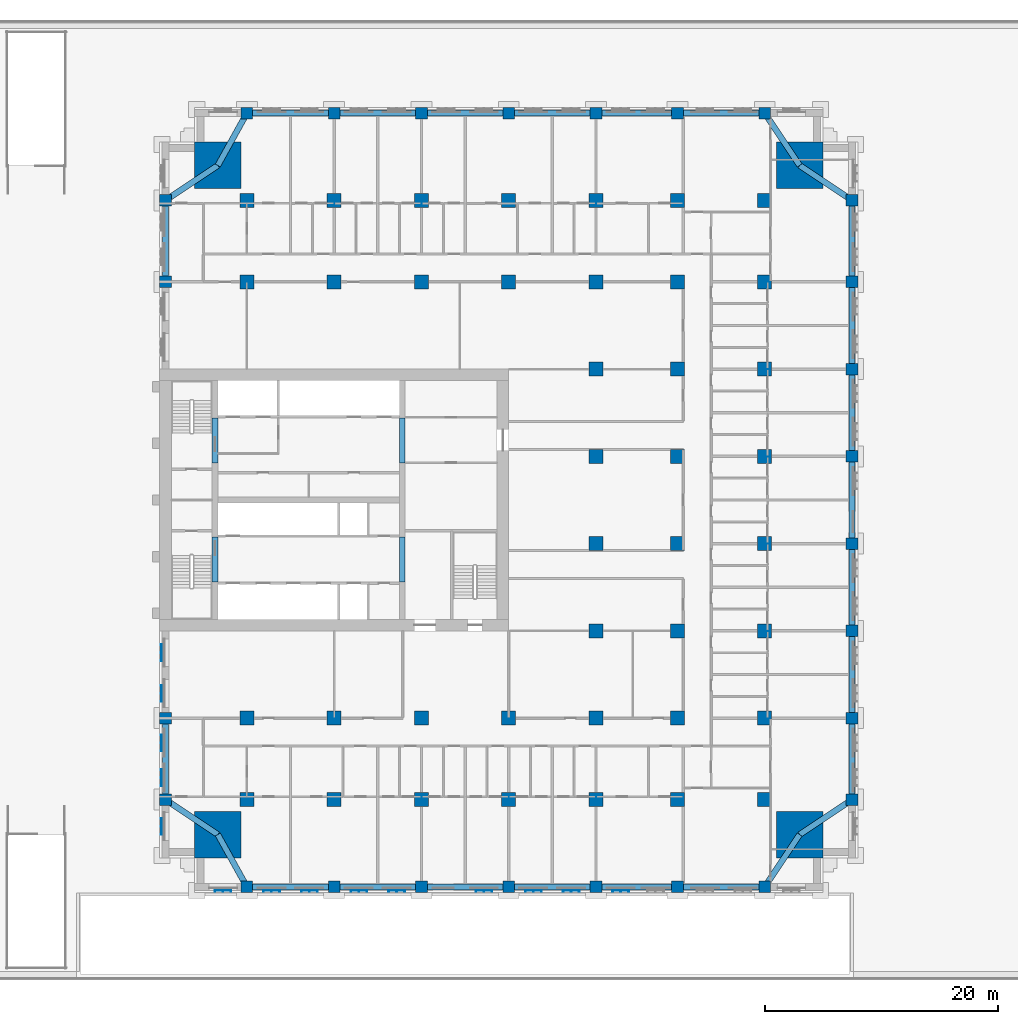
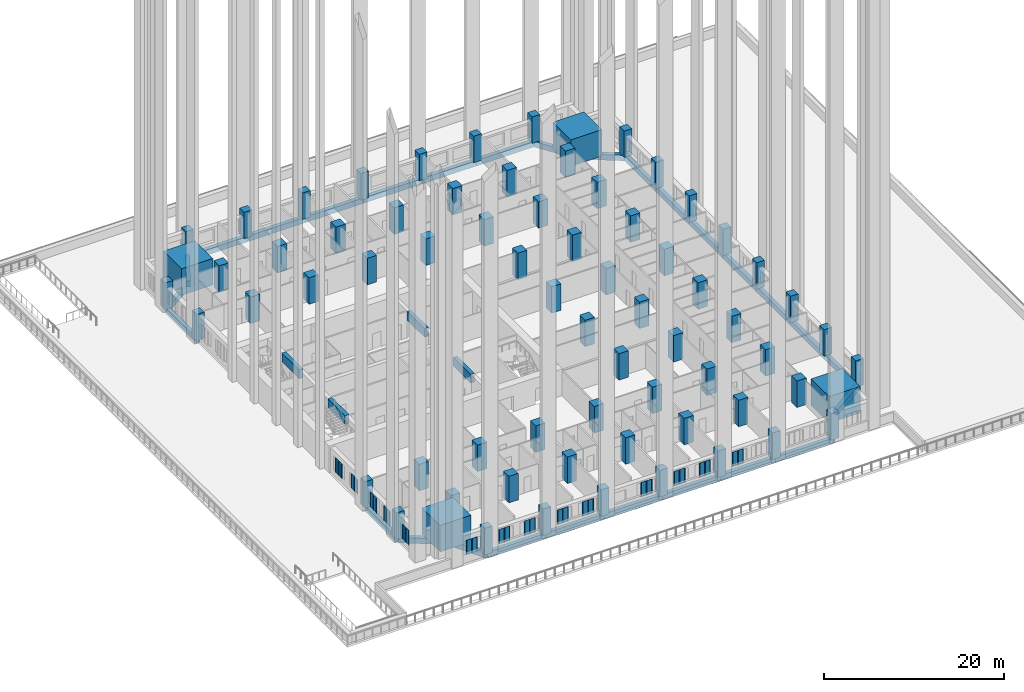
# One storey, part 1 of 27: 70 columns, 33 beams, 14 plates.
"""IFC4 building model written with IfcOpenShell, lengths in metres."""

from ifc_helpers import new_model, si_unit, direction, frame, origin, origin_2d, place, context, subcontext, project, spatial, polyline, rectangle, outline, extrude, material, layer, layer_set, material_profile, profile_set, type_object, element, save


model = new_model("IFC4")

# Units and contexts
model_context = context("Model", 3, precision=1e-05, world=origin(), true_north=direction((0.0, 1.0)))
body_context = subcontext(model_context, "Body", "Model", "MODEL_VIEW")
ifc_project = project(units=[si_unit("LENGTHUNIT", "METRE"), si_unit("AREAUNIT", "SQUARE_METRE"), si_unit("VOLUMEUNIT", "CUBIC_METRE"), si_unit("PLANEANGLEUNIT", "RADIAN"), si_unit("MASSUNIT", "GRAM", prefix="KILO")], contexts=[model_context])

# Site, building, storey
site_placement = place(None, origin())
site = spatial("IfcSite", under=ifc_project, at=site_placement, CompositionType="ELEMENT")
building_placement = place(site_placement, origin())
building = spatial("IfcBuilding", under=site, at=building_placement, Name="Tamorin Gate", CompositionType="ELEMENT")
storey_placement = place(building_placement, frame((0.0, 0.0, 34.0)))
storey = spatial("IfcBuildingStorey", under=building, at=storey_placement, Name="L06", CompositionType="ELEMENT", Elevation=34.0)

# Columns
ifc_material_1 = material(Name="Concrete C80/95", Category="concrete")
ifc_material_profile_1 = material_profile(ifc_material_1, rectangle(XDim=1.0, YDim=1.0, at=origin_2d()), Name="RC 1000x1000")
ifc_profile_set_1 = profile_set([ifc_material_profile_1], Name="Concrete C80/95")
column_type_1 = type_object("IfcColumnType", Name="RC column 1000x1000 C80/95", PredefinedType="COLUMN", material=ifc_profile_set_1)
for number, where, z_axis, x_axis, name in (
    (1, (30.5, 45.5, 0.0), (0.0, 0.0, 1.0), (1.0, 0.0, 0.0), "Ring column L06"),
    (2, (30.5, 52.5, 0.0), (0.0, 0.0, 1.0), (1.0, 0.0, 0.0), "Ring column L06"),
    (3, (30.5, 90.0, 0.0), (0.0, 0.0, 1.0), (1.0, 0.0, 0.0), "Ring column L06"),
    (4, (30.5, 97.0, 0.0), (0.0, 0.0, 1.0), (1.0, 0.0, 0.0), "Ring column L06"),
    (5, (37.5, 38.0, 0.0), (0.0, 0.0, 1.0), (1.0, 0.0, 0.0), "Ring column L06"),
    (6, (37.5, 104.5, 0.0), (0.0, 0.0, 1.0), (1.0, 0.0, 0.0), "Ring column L06"),
    (7, (45.0, 38.0, 0.0), (0.0, 0.0, 1.0), (1.0, 0.0, 0.0), "Ring column L06"),
    (8, (45.0, 104.5, 0.0), (0.0, 0.0, 1.0), (1.0, 0.0, 0.0), "Ring column L06"),
    (9, (52.5, 38.0, 0.0), (0.0, 0.0, 1.0), (1.0, 0.0, 0.0), "Ring column L06"),
    (10, (52.5, 104.5, 0.0), (0.0, 0.0, 1.0), (1.0, 0.0, 0.0), "Ring column L06"),
    (11, (60.0, 38.0, 0.0), (0.0, 0.0, 1.0), (1.0, 0.0, 0.0), "Ring column L06"),
    (12, (60.0, 104.5, 0.0), (0.0, 0.0, 1.0), (1.0, 0.0, 0.0), "Ring column L06"),
    (13, (67.5, 38.0, 0.0), (0.0, 0.0, 1.0), (1.0, 0.0, 0.0), "Ring column L06"),
    (14, (67.5, 104.5, 0.0), (0.0, 0.0, 1.0), (1.0, 0.0, 0.0), "Ring column L06"),
    (15, (74.5, 38.0, 0.0), (0.0, 0.0, 1.0), (1.0, 0.0, 0.0), "Ring column L06"),
    (16, (74.5, 104.5, 0.0), (0.0, 0.0, 1.0), (1.0, 0.0, 0.0), "Ring column L06"),
    (17, (82.0, 38.0, 0.0), (0.0, 0.0, 1.0), (1.0, 0.0, 0.0), "Ring column L06"),
    (18, (82.0, 104.5, 0.0), (0.0, 0.0, 1.0), (1.0, 0.0, 0.0), "Ring column L06"),
    (19, (89.5, 45.5, 0.0), (0.0, 0.0, 1.0), (1.0, 0.0, 0.0), "Ring column L06"),
    (20, (89.5, 52.5, 0.0), (0.0, 0.0, 1.0), (1.0, 0.0, 0.0), "Ring column L06"),
    (21, (89.5, 60.0, 0.0), (0.0, 0.0, 1.0), (1.0, 0.0, 0.0), "Ring column L06"),
    (22, (89.5, 67.5, 0.0), (0.0, 0.0, 1.0), (1.0, 0.0, 0.0), "Ring column L06"),
    (23, (89.5, 75.0, 0.0), (0.0, 0.0, 1.0), (1.0, 0.0, 0.0), "Ring column L06"),
    (24, (89.5, 82.5, 0.0), (0.0, 0.0, 1.0), (1.0, 0.0, 0.0), "Ring column L06"),
    (25, (89.5, 90.0, 0.0), (0.0, 0.0, 1.0), (1.0, 0.0, 0.0), "Ring column L06"),
    (26, (89.5, 97.0, 0.0), (0.0, 0.0, 1.0), (1.0, 0.0, 0.0), "Ring column L06"),
):
    element("IfcColumn", number, at=place(storey_placement, frame(where, z_axis=z_axis, x_axis=x_axis)), inside=storey, type_object=column_type_1, Name=name, PredefinedType="COLUMN", context=body_context, shape_type="SweptSolid", body=[
        extrude(rectangle(XDim=1.0, YDim=1.0, at=origin_2d()), origin(), (0.0, 0.0, 1.0), 3.60009765625),
    ])
ifc_material_profile_2 = material_profile(ifc_material_1, rectangle(XDim=1.199951171875, YDim=1.199951171875, at=origin_2d()), Name="RC 1200x1200")
ifc_profile_set_2 = profile_set([ifc_material_profile_2], Name="Concrete C80/95")
column_type_2 = type_object("IfcColumnType", Name="RC column 1200x1200 C80/95", PredefinedType="COLUMN", material=ifc_profile_set_2)
for number, where, z_axis, x_axis, name in (
    (27, (37.5, 45.5, 0.0), (0.0, 0.0, 1.0), (1.0, 0.0, 0.0), "Interior column L06"),
    (28, (37.5, 52.5, 0.0), (0.0, 0.0, 1.0), (1.0, 0.0, 0.0), "Interior column L06"),
    (29, (37.5, 90.0, 0.0), (0.0, 0.0, 1.0), (1.0, 0.0, 0.0), "Interior column L06"),
    (30, (37.5, 97.0, 0.0), (0.0, 0.0, 1.0), (1.0, 0.0, 0.0), "Interior column L06"),
    (31, (45.0, 45.5, 0.0), (0.0, 0.0, 1.0), (1.0, 0.0, 0.0), "Interior column L06"),
    (32, (45.0, 52.5, 0.0), (0.0, 0.0, 1.0), (1.0, 0.0, 0.0), "Interior column L06"),
    (33, (45.0, 90.0, 0.0), (0.0, 0.0, 1.0), (1.0, 0.0, 0.0), "Interior column L06"),
    (34, (45.0, 97.0, 0.0), (0.0, 0.0, 1.0), (1.0, 0.0, 0.0), "Interior column L06"),
    (35, (52.5, 45.5, 0.0), (0.0, 0.0, 1.0), (1.0, 0.0, 0.0), "Interior column L06"),
    (36, (52.5, 52.5, 0.0), (0.0, 0.0, 1.0), (1.0, 0.0, 0.0), "Interior column L06"),
    (37, (52.5, 90.0, 0.0), (0.0, 0.0, 1.0), (1.0, 0.0, 0.0), "Interior column L06"),
    (38, (52.5, 97.0, 0.0), (0.0, 0.0, 1.0), (1.0, 0.0, 0.0), "Interior column L06"),
    (39, (60.0, 45.5, 0.0), (0.0, 0.0, 1.0), (1.0, 0.0, 0.0), "Interior column L06"),
    (40, (60.0, 52.5, 0.0), (0.0, 0.0, 1.0), (1.0, 0.0, 0.0), "Interior column L06"),
    (41, (60.0, 90.0, 0.0), (0.0, 0.0, 1.0), (1.0, 0.0, 0.0), "Interior column L06"),
    (42, (60.0, 97.0, 0.0), (0.0, 0.0, 1.0), (1.0, 0.0, 0.0), "Interior column L06"),
    (43, (67.5, 45.5, 0.0), (0.0, 0.0, 1.0), (1.0, 0.0, 0.0), "Interior column L06"),
    (44, (67.5, 52.5, 0.0), (0.0, 0.0, 1.0), (1.0, 0.0, 0.0), "Interior column L06"),
    (45, (67.5, 60.0, 0.0), (0.0, 0.0, 1.0), (1.0, 0.0, 0.0), "Interior column L06"),
    (46, (67.5, 67.5, 0.0), (0.0, 0.0, 1.0), (1.0, 0.0, 0.0), "Interior column L06"),
    (47, (67.5, 75.0, 0.0), (0.0, 0.0, 1.0), (1.0, 0.0, 0.0), "Interior column L06"),
    (48, (67.5, 82.5, 0.0), (0.0, 0.0, 1.0), (1.0, 0.0, 0.0), "Interior column L06"),
    (49, (67.5, 90.0, 0.0), (0.0, 0.0, 1.0), (1.0, 0.0, 0.0), "Interior column L06"),
    (50, (67.5, 97.0, 0.0), (0.0, 0.0, 1.0), (1.0, 0.0, 0.0), "Interior column L06"),
    (51, (74.5, 45.5, 0.0), (0.0, 0.0, 1.0), (1.0, 0.0, 0.0), "Interior column L06"),
    (52, (74.5, 52.5, 0.0), (0.0, 0.0, 1.0), (1.0, 0.0, 0.0), "Interior column L06"),
    (53, (74.5, 60.0, 0.0), (0.0, 0.0, 1.0), (1.0, 0.0, 0.0), "Interior column L06"),
    (54, (74.5, 67.5, 0.0), (0.0, 0.0, 1.0), (1.0, 0.0, 0.0), "Interior column L06"),
    (55, (74.5, 75.0, 0.0), (0.0, 0.0, 1.0), (1.0, 0.0, 0.0), "Interior column L06"),
    (56, (74.5, 82.5, 0.0), (0.0, 0.0, 1.0), (1.0, 0.0, 0.0), "Interior column L06"),
    (57, (74.5, 90.0, 0.0), (0.0, 0.0, 1.0), (1.0, 0.0, 0.0), "Interior column L06"),
    (58, (74.5, 97.0, 0.0), (0.0, 0.0, 1.0), (1.0, 0.0, 0.0), "Interior column L06"),
    (59, (82.0, 45.5, 0.0), (0.0, 0.0, 1.0), (1.0, 0.0, 0.0), "Interior column L06"),
    (60, (82.0, 52.5, 0.0), (0.0, 0.0, 1.0), (1.0, 0.0, 0.0), "Interior column L06"),
    (61, (82.0, 60.0, 0.0), (0.0, 0.0, 1.0), (1.0, 0.0, 0.0), "Interior column L06"),
    (62, (82.0, 67.5, 0.0), (0.0, 0.0, 1.0), (1.0, 0.0, 0.0), "Interior column L06"),
    (63, (82.0, 75.0, 0.0), (0.0, 0.0, 1.0), (1.0, 0.0, 0.0), "Interior column L06"),
    (64, (82.0, 82.5, 0.0), (0.0, 0.0, 1.0), (1.0, 0.0, 0.0), "Interior column L06"),
    (65, (82.0, 90.0, 0.0), (0.0, 0.0, 1.0), (1.0, 0.0, 0.0), "Interior column L06"),
    (66, (82.0, 97.0, 0.0), (0.0, 0.0, 1.0), (1.0, 0.0, 0.0), "Interior column L06"),
):
    element("IfcColumn", number, at=place(storey_placement, frame(where, z_axis=z_axis, x_axis=x_axis)), inside=storey, type_object=column_type_2, Name=name, PredefinedType="COLUMN", context=body_context, shape_type="SweptSolid", body=[
        extrude(rectangle(XDim=1.199951171875, YDim=1.199951171875, at=origin_2d()), origin(), (0.0, 0.0, 1.0), 3.60009765625),
    ])
ifc_material_profile_3 = material_profile(ifc_material_1, rectangle(XDim=4.0, YDim=4.0, at=origin_2d()), Name="RC 4000x4000")
ifc_profile_set_3 = profile_set([ifc_material_profile_3], Name="Concrete C80/95")
column_type_3 = type_object("IfcColumnType", Name="RC column 4000x4000 C80/95", PredefinedType="COLUMN", material=ifc_profile_set_3)
for number, where, z_axis, x_axis, name in (
    (67, (35.0, 42.5, 0.0), (0.0, 0.0, 1.0), (1.0, 0.0, 0.0), "Mega column SW L06"),
    (68, (85.0, 42.5, 0.0), (0.0, 0.0, 1.0), (1.0, 0.0, 0.0), "Mega column SE L06"),
    (69, (35.0, 100.0, 0.0), (0.0, 0.0, 1.0), (1.0, 0.0, 0.0), "Mega column NW L06"),
    (70, (85.0, 100.0, 0.0), (0.0, 0.0, 1.0), (1.0, 0.0, 0.0), "Mega column NE L06"),
):
    element("IfcColumn", number, at=place(storey_placement, frame(where, z_axis=z_axis, x_axis=x_axis)), inside=storey, type_object=column_type_3, Name=name, PredefinedType="COLUMN", context=body_context, shape_type="SweptSolid", body=[
        extrude(rectangle(XDim=4.0, YDim=4.0, at=origin_2d()), origin(), (0.0, 0.0, 1.0), 3.60009765625),
    ])

# Beams
ifc_material_profile_4 = material_profile(ifc_material_1, rectangle(XDim=0.5, YDim=1.199951171875, at=origin_2d()), Name="RC 500x1200")
ifc_profile_set_4 = profile_set([ifc_material_profile_4], Name="Concrete C80/95")
beam_type_1 = type_object("IfcBeamType", Name="RC coupling beam 500x1200 C80/95", PredefinedType="BEAM", material=ifc_profile_set_4)
for number, where, z_axis, x_axis, name in (
    (71, (34.75, 64.199951171875, 3.0), (0.0, 1.0, 0.0), (-1.0, 0.0, 0.0), "Coupling beam L06"),
    (72, (34.75, 74.449951171875, 3.0), (0.0, 1.0, 0.0), (-1.0, 0.0, 0.0), "Coupling beam L06"),
    (73, (50.85009765625, 64.199951171875, 3.0), (0.0, 1.0, 0.0), (-1.0, 0.0, 0.0), "Coupling beam L06"),
    (74, (50.85009765625, 74.449951171875, 3.0), (0.0, 1.0, 0.0), (-1.0, 0.0, 0.0), "Coupling beam L06"),
):
    element("IfcBeam", number, at=place(storey_placement, frame(where, z_axis=z_axis, x_axis=x_axis)), inside=storey, type_object=beam_type_1, Name=name, PredefinedType="BEAM", context=body_context, shape_type="SweptSolid", body=[
        extrude(rectangle(XDim=0.5, YDim=1.199951171875, at=origin_2d()), origin(), (0.0, 0.0, 1.0), 3.85009765625),
    ])
ifc_material_2 = material(Name="Concrete C50/60", Category="concrete")
ifc_material_profile_5 = material_profile(ifc_material_2, rectangle(XDim=0.5, YDim=0.75, at=origin_2d()), Name="RC 500x750")
ifc_profile_set_5 = profile_set([ifc_material_profile_5], Name="Concrete C50/60")
beam_type_2 = type_object("IfcBeamType", Name="RC spandrel 500x750 C50/60", PredefinedType="BEAM", material=ifc_profile_set_5)
for number, where, z_axis, x_axis, name in (
    (75, (37.5, 38.0, -0.375), (1.0, 0.0, 0.0), (0.0, 1.0, 0.0), "Spandrel beam L06"),
    (76, (45.0, 38.0, -0.375), (1.0, 0.0, 0.0), (0.0, 1.0, 0.0), "Spandrel beam L06"),
    (77, (52.5, 38.0, -0.375), (1.0, 0.0, 0.0), (0.0, 1.0, 0.0), "Spandrel beam L06"),
    (78, (60.0, 38.0, -0.375), (1.0, 0.0, 0.0), (0.0, 1.0, 0.0), "Spandrel beam L06"),
):
    element("IfcBeam", number, at=place(storey_placement, frame(where, z_axis=z_axis, x_axis=x_axis)), inside=storey, type_object=beam_type_2, Name=name, PredefinedType="BEAM", context=body_context, shape_type="SweptSolid", body=[
        extrude(rectangle(XDim=0.5, YDim=0.75, at=origin_2d()), origin(), (0.0, 0.0, 1.0), 7.5),
    ])
beam_1_placement = place(storey_placement, frame((67.5, 38.0, -0.375), z_axis=(1.0, 0.0, 0.0), x_axis=(0.0, 1.0, 0.0)))
element("IfcBeam", 79, at=beam_1_placement, inside=storey, type_object=beam_type_2, Name="Spandrel beam L06", PredefinedType="BEAM", context=body_context, shape_type="SweptSolid", body=[
    extrude(rectangle(XDim=0.5, YDim=0.75, at=origin_2d()), origin(), (0.0, 0.0, 1.0), 7.0),
])
beam_2_placement = place(storey_placement, frame((74.5, 38.0, -0.375), z_axis=(1.0, 0.0, 0.0), x_axis=(0.0, 1.0, 0.0)))
element("IfcBeam", 80, at=beam_2_placement, inside=storey, type_object=beam_type_2, Name="Spandrel beam L06", PredefinedType="BEAM", context=body_context, shape_type="SweptSolid", body=[
    extrude(rectangle(XDim=0.5, YDim=0.75, at=origin_2d()), origin(), (0.0, 0.0, 1.0), 7.5),
])
beam_3_placement = place(storey_placement, frame((89.5, 45.5, -0.375), z_axis=(0.0, 1.0, 0.0), x_axis=(-1.0, 0.0, 0.0)))
element("IfcBeam", 81, at=beam_3_placement, inside=storey, type_object=beam_type_2, Name="Spandrel beam L06", PredefinedType="BEAM", context=body_context, shape_type="SweptSolid", body=[
    extrude(rectangle(XDim=0.5, YDim=0.75, at=origin_2d()), origin(), (0.0, 0.0, 1.0), 7.0),
])
for number, where, z_axis, x_axis, name in (
    (82, (89.5, 52.5, -0.375), (0.0, 1.0, 0.0), (-1.0, 0.0, 0.0), "Spandrel beam L06"),
    (83, (89.5, 60.0, -0.375), (0.0, 1.0, 0.0), (-1.0, 0.0, 0.0), "Spandrel beam L06"),
    (84, (89.5, 67.5, -0.375), (0.0, 1.0, 0.0), (-1.0, 0.0, 0.0), "Spandrel beam L06"),
    (85, (89.5, 75.0, -0.375), (0.0, 1.0, 0.0), (-1.0, 0.0, 0.0), "Spandrel beam L06"),
    (86, (89.5, 82.5, -0.375), (0.0, 1.0, 0.0), (-1.0, 0.0, 0.0), "Spandrel beam L06"),
):
    element("IfcBeam", number, at=place(storey_placement, frame(where, z_axis=z_axis, x_axis=x_axis)), inside=storey, type_object=beam_type_2, Name=name, PredefinedType="BEAM", context=body_context, shape_type="SweptSolid", body=[
        extrude(rectangle(XDim=0.5, YDim=0.75, at=origin_2d()), origin(), (0.0, 0.0, 1.0), 7.5),
    ])
beam_4_placement = place(storey_placement, frame((89.5, 90.0, -0.375), z_axis=(0.0, 1.0, 0.0), x_axis=(-1.0, 0.0, 0.0)))
element("IfcBeam", 87, at=beam_4_placement, inside=storey, type_object=beam_type_2, Name="Spandrel beam L06", PredefinedType="BEAM", context=body_context, shape_type="SweptSolid", body=[
    extrude(rectangle(XDim=0.5, YDim=0.75, at=origin_2d()), origin(), (0.0, 0.0, 1.0), 7.0),
])
beam_5_placement = place(storey_placement, frame((82.0, 104.5, -0.375), z_axis=(-1.0, 0.0, 0.0), x_axis=(0.0, -1.0, 0.0)))
element("IfcBeam", 88, at=beam_5_placement, inside=storey, type_object=beam_type_2, Name="Spandrel beam L06", PredefinedType="BEAM", context=body_context, shape_type="SweptSolid", body=[
    extrude(rectangle(XDim=0.5, YDim=0.75, at=origin_2d()), origin(), (0.0, 0.0, 1.0), 7.5),
])
beam_6_placement = place(storey_placement, frame((74.5, 104.5, -0.375), z_axis=(-1.0, 0.0, 0.0), x_axis=(0.0, -1.0, 0.0)))
element("IfcBeam", 89, at=beam_6_placement, inside=storey, type_object=beam_type_2, Name="Spandrel beam L06", PredefinedType="BEAM", context=body_context, shape_type="SweptSolid", body=[
    extrude(rectangle(XDim=0.5, YDim=0.75, at=origin_2d()), origin(), (0.0, 0.0, 1.0), 7.0),
])
for number, where, z_axis, x_axis, name in (
    (90, (67.5, 104.5, -0.375), (-1.0, 0.0, 0.0), (0.0, -1.0, 0.0), "Spandrel beam L06"),
    (91, (60.0, 104.5, -0.375), (-1.0, 0.0, 0.0), (0.0, -1.0, 0.0), "Spandrel beam L06"),
    (92, (52.5, 104.5, -0.375), (-1.0, 0.0, 0.0), (0.0, -1.0, 0.0), "Spandrel beam L06"),
    (93, (45.0, 104.5, -0.375), (-1.0, 0.0, 0.0), (0.0, -1.0, 0.0), "Spandrel beam L06"),
):
    element("IfcBeam", number, at=place(storey_placement, frame(where, z_axis=z_axis, x_axis=x_axis)), inside=storey, type_object=beam_type_2, Name=name, PredefinedType="BEAM", context=body_context, shape_type="SweptSolid", body=[
        extrude(rectangle(XDim=0.5, YDim=0.75, at=origin_2d()), origin(), (0.0, 0.0, 1.0), 7.5),
    ])
for number, where, z_axis, x_axis, name in (
    (94, (30.5, 97.0, -0.375), (0.0, -1.0, 0.0), (1.0, 0.0, 0.0), "Spandrel beam L06"),
    (95, (30.5, 52.5, -0.375), (0.0, -1.0, 0.0), (1.0, 0.0, 0.0), "Spandrel beam L06"),
):
    element("IfcBeam", number, at=place(storey_placement, frame(where, z_axis=z_axis, x_axis=x_axis)), inside=storey, type_object=beam_type_2, Name=name, PredefinedType="BEAM", context=body_context, shape_type="SweptSolid", body=[
        extrude(rectangle(XDim=0.5, YDim=0.75, at=origin_2d()), origin(), (0.0, 0.0, 1.0), 7.0),
    ])
beam_7_placement = place(storey_placement, frame((35.0, 42.5, -0.375), z_axis=(0.485642931179, -0.874157276122, 0.0), x_axis=(0.874157276122, 0.485642931179, 0.0)))
element("IfcBeam", 96, at=beam_7_placement, inside=storey, type_object=beam_type_2, Name="Corner tie beam L06", PredefinedType="BEAM", context=body_context, shape_type="SweptSolid", body=[
    extrude(rectangle(XDim=0.5, YDim=0.75, at=origin_2d()), origin(), (0.0, 0.0, 1.0), 5.147705078125),
])
for number, where, z_axis, x_axis, name in (
    (97, (35.0, 42.5, -0.375), (-0.832050294338, 0.554700196225, 0.0), (-0.554700196225, -0.832050294338, 0.0), "Corner tie beam L06"),
    (98, (85.0, 42.5, -0.375), (-0.554700196225, -0.832050294338, 0.0), (0.832050294338, -0.554700196225, 0.0), "Corner tie beam L06"),
    (99, (85.0, 42.5, -0.375), (0.832050294338, 0.554700196225, 0.0), (-0.554700196225, 0.832050294338, 0.0), "Corner tie beam L06"),
):
    element("IfcBeam", number, at=place(storey_placement, frame(where, z_axis=z_axis, x_axis=x_axis)), inside=storey, type_object=beam_type_2, Name=name, PredefinedType="BEAM", context=body_context, shape_type="SweptSolid", body=[
        extrude(rectangle(XDim=0.5, YDim=0.75, at=origin_2d()), origin(), (0.0, 0.0, 1.0), 5.408447265625),
    ])
beam_8_placement = place(storey_placement, frame((35.0, 100.0, -0.375), z_axis=(0.485642931179, 0.874157276122, 0.0), x_axis=(-0.874157276122, 0.485642931179, 0.0)))
element("IfcBeam", 100, at=beam_8_placement, inside=storey, type_object=beam_type_2, Name="Corner tie beam L06", PredefinedType="BEAM", context=body_context, shape_type="SweptSolid", body=[
    extrude(rectangle(XDim=0.5, YDim=0.75, at=origin_2d()), origin(), (0.0, 0.0, 1.0), 5.147705078125),
])
for number, where, z_axis, x_axis, name in (
    (101, (35.0, 100.0, -0.375), (-0.832050294338, -0.554700196225, 0.0), (0.554700196225, -0.832050294338, 0.0), "Corner tie beam L06"),
    (102, (85.0, 100.0, -0.375), (-0.554700196225, 0.832050294338, 0.0), (-0.832050294338, -0.554700196225, 0.0), "Corner tie beam L06"),
    (103, (85.0, 100.0, -0.375), (0.832050294338, -0.554700196225, 0.0), (0.554700196225, 0.832050294338, 0.0), "Corner tie beam L06"),
):
    element("IfcBeam", number, at=place(storey_placement, frame(where, z_axis=z_axis, x_axis=x_axis)), inside=storey, type_object=beam_type_2, Name=name, PredefinedType="BEAM", context=body_context, shape_type="SweptSolid", body=[
        extrude(rectangle(XDim=0.5, YDim=0.75, at=origin_2d()), origin(), (0.0, 0.0, 1.0), 5.408447265625),
    ])

# Plates
ifc_material_3 = material(Name="Perforated pale aluminium sheet", Category="aluminium")
ifc_layer = layer(ifc_material_3, 0.0400390625)
ifc_layer_set = layer_set([ifc_layer], Name="Pale metal solar screen 1440")
plate_type = type_object("IfcPlateType", Name="Pale metal solar screen 1440", PredefinedType="SHEET", material=ifc_layer_set)
plate_1_placement = place(storey_placement, frame((0.0, 0.0, 0.7099609375)))
element("IfcPlate", 104, at=plate_1_placement, inside=storey, type_object=plate_type, Name="Perforated solar screen", PredefinedType="SHEET", context=body_context, shape_type="SweptSolid", body=[
    extrude(outline(polyline([(34.72998046875, 37.659912109375), (34.72998046875, 37.699951171875), (34.7900390625, 37.699951171875), (35.419921875, 37.699951171875), (35.47998046875, 37.699951171875), (36.110107421875, 37.699951171875), (36.169921875, 37.699951171875), (36.169921875, 37.659912109375), (36.169921875, 37.60009765625), (36.110107421875, 37.60009765625), (36.110107421875, 37.659912109375), (35.47998046875, 37.659912109375), (35.47998046875, 37.60009765625), (35.419921875, 37.60009765625), (35.419921875, 37.659912109375), (34.7900390625, 37.659912109375), (34.7900390625, 37.60009765625), (34.72998046875, 37.60009765625), (34.72998046875, 37.659912109375)])), origin(), (0.0, 0.0, 1.0), 1.97998046875),
])
plate_2_placement = place(storey_placement, frame((0.0, 0.0, 0.7099609375)))
element("IfcPlate", 105, at=plate_2_placement, inside=storey, type_object=plate_type, Name="Perforated solar screen", PredefinedType="SHEET", context=body_context, shape_type="SweptSolid", body=[
    extrude(outline(polyline([(38.905029296875, 37.659912109375), (38.905029296875, 37.699951171875), (38.965087890625, 37.699951171875), (39.594970703125, 37.699951171875), (39.655029296875, 37.699951171875), (40.284912109375, 37.699951171875), (40.344970703125, 37.699951171875), (40.344970703125, 37.699951171875), (40.344970703125, 37.659912109375), (40.344970703125, 37.659912109375), (40.344970703125, 37.60009765625), (40.284912109375, 37.60009765625), (40.284912109375, 37.659912109375), (39.655029296875, 37.659912109375), (39.655029296875, 37.60009765625), (39.594970703125, 37.60009765625), (39.594970703125, 37.659912109375), (38.965087890625, 37.659912109375), (38.965087890625, 37.60009765625), (38.905029296875, 37.60009765625), (38.905029296875, 37.659912109375)])), origin(), (0.0, 0.0, 1.0), 1.97998046875),
])
plate_3_placement = place(storey_placement, frame((0.0, 0.0, 0.7099609375)))
element("IfcPlate", 106, at=plate_3_placement, inside=storey, type_object=plate_type, Name="Perforated solar screen", PredefinedType="SHEET", context=body_context, shape_type="SweptSolid", body=[
    extrude(outline(polyline([(42.155029296875, 37.659912109375), (42.155029296875, 37.699951171875), (42.215087890625, 37.699951171875), (42.844970703125, 37.699951171875), (42.905029296875, 37.699951171875), (43.534912109375, 37.699951171875), (43.594970703125, 37.699951171875), (43.594970703125, 37.659912109375), (43.594970703125, 37.60009765625), (43.534912109375, 37.60009765625), (43.534912109375, 37.659912109375), (42.905029296875, 37.659912109375), (42.905029296875, 37.60009765625), (42.844970703125, 37.60009765625), (42.844970703125, 37.659912109375), (42.215087890625, 37.659912109375), (42.215087890625, 37.60009765625), (42.155029296875, 37.60009765625), (42.155029296875, 37.659912109375)])), origin(), (0.0, 0.0, 1.0), 1.97998046875),
])
plate_4_placement = place(storey_placement, frame((0.0, 0.0, 0.7099609375)))
element("IfcPlate", 107, at=plate_4_placement, inside=storey, type_object=plate_type, Name="Perforated solar screen", PredefinedType="SHEET", context=body_context, shape_type="SweptSolid", body=[
    extrude(outline(polyline([(46.405029296875, 37.659912109375), (46.405029296875, 37.699951171875), (46.465087890625, 37.699951171875), (47.094970703125, 37.699951171875), (47.155029296875, 37.699951171875), (47.784912109375, 37.699951171875), (47.844970703125, 37.699951171875), (47.844970703125, 37.659912109375), (47.844970703125, 37.60009765625), (47.784912109375, 37.60009765625), (47.784912109375, 37.659912109375), (47.155029296875, 37.659912109375), (47.155029296875, 37.60009765625), (47.094970703125, 37.60009765625), (47.094970703125, 37.659912109375), (46.465087890625, 37.659912109375), (46.465087890625, 37.60009765625), (46.405029296875, 37.60009765625), (46.405029296875, 37.659912109375)])), origin(), (0.0, 0.0, 1.0), 1.97998046875),
])
plate_5_placement = place(storey_placement, frame((0.0, 0.0, 0.7099609375)))
element("IfcPlate", 108, at=plate_5_placement, inside=storey, type_object=plate_type, Name="Perforated solar screen", PredefinedType="SHEET", context=body_context, shape_type="SweptSolid", body=[
    extrude(outline(polyline([(49.655029296875, 37.659912109375), (49.655029296875, 37.699951171875), (49.715087890625, 37.699951171875), (50.344970703125, 37.699951171875), (50.405029296875, 37.699951171875), (51.034912109375, 37.699951171875), (51.094970703125, 37.699951171875), (51.094970703125, 37.659912109375), (51.094970703125, 37.60009765625), (51.034912109375, 37.60009765625), (51.034912109375, 37.659912109375), (50.405029296875, 37.659912109375), (50.405029296875, 37.60009765625), (50.344970703125, 37.60009765625), (50.344970703125, 37.659912109375), (49.715087890625, 37.659912109375), (49.715087890625, 37.60009765625), (49.655029296875, 37.60009765625), (49.655029296875, 37.659912109375)])), origin(), (0.0, 0.0, 1.0), 1.97998046875),
])
plate_6_placement = place(storey_placement, frame((0.0, 0.0, 0.7099609375)))
element("IfcPlate", 109, at=plate_6_placement, inside=storey, type_object=plate_type, Name="Perforated solar screen", PredefinedType="SHEET", context=body_context, shape_type="SweptSolid", body=[
    extrude(outline(polyline([(57.155029296875, 37.659912109375), (57.155029296875, 37.699951171875), (57.215087890625, 37.699951171875), (57.844970703125, 37.699951171875), (57.905029296875, 37.699951171875), (58.534912109375, 37.699951171875), (58.594970703125, 37.699951171875), (58.594970703125, 37.659912109375), (58.594970703125, 37.60009765625), (58.534912109375, 37.60009765625), (58.534912109375, 37.659912109375), (57.905029296875, 37.659912109375), (57.905029296875, 37.60009765625), (57.844970703125, 37.60009765625), (57.844970703125, 37.659912109375), (57.215087890625, 37.659912109375), (57.215087890625, 37.60009765625), (57.155029296875, 37.60009765625), (57.155029296875, 37.659912109375)])), origin(), (0.0, 0.0, 1.0), 1.97998046875),
])
plate_7_placement = place(storey_placement, frame((0.0, 0.0, 0.7099609375)))
element("IfcPlate", 110, at=plate_7_placement, inside=storey, type_object=plate_type, Name="Perforated solar screen", PredefinedType="SHEET", context=body_context, shape_type="SweptSolid", body=[
    extrude(outline(polyline([(61.405029296875, 37.659912109375), (61.405029296875, 37.699951171875), (61.465087890625, 37.699951171875), (62.094970703125, 37.699951171875), (62.155029296875, 37.699951171875), (62.784912109375, 37.699951171875), (62.844970703125, 37.699951171875), (62.844970703125, 37.659912109375), (62.844970703125, 37.60009765625), (62.784912109375, 37.60009765625), (62.784912109375, 37.659912109375), (62.155029296875, 37.659912109375), (62.155029296875, 37.60009765625), (62.094970703125, 37.60009765625), (62.094970703125, 37.659912109375), (61.465087890625, 37.659912109375), (61.465087890625, 37.60009765625), (61.405029296875, 37.60009765625), (61.405029296875, 37.659912109375)])), origin(), (0.0, 0.0, 1.0), 1.97998046875),
])
plate_8_placement = place(storey_placement, frame((0.0, 0.0, 0.7099609375)))
element("IfcPlate", 111, at=plate_8_placement, inside=storey, type_object=plate_type, Name="Perforated solar screen", PredefinedType="SHEET", context=body_context, shape_type="SweptSolid", body=[
    extrude(outline(polyline([(64.655029296875, 37.659912109375), (64.655029296875, 37.699951171875), (64.715087890625, 37.699951171875), (65.344970703125, 37.699951171875), (65.405029296875, 37.699951171875), (66.034912109375, 37.699951171875), (66.094970703125, 37.699951171875), (66.094970703125, 37.659912109375), (66.094970703125, 37.60009765625), (66.034912109375, 37.60009765625), (66.034912109375, 37.659912109375), (65.405029296875, 37.659912109375), (65.405029296875, 37.60009765625), (65.344970703125, 37.60009765625), (65.344970703125, 37.659912109375), (64.715087890625, 37.659912109375), (64.715087890625, 37.60009765625), (64.655029296875, 37.60009765625), (64.655029296875, 37.659912109375)])), origin(), (0.0, 0.0, 1.0), 1.97998046875),
])
plate_9_placement = place(storey_placement, frame((0.0, 0.0, 0.7099609375)))
element("IfcPlate", 112, at=plate_9_placement, inside=storey, type_object=plate_type, Name="Perforated solar screen", PredefinedType="SHEET", context=body_context, shape_type="SweptSolid", body=[
    extrude(outline(polyline([(68.905029296875, 37.659912109375), (68.905029296875, 37.699951171875), (68.965087890625, 37.699951171875), (69.594970703125, 37.699951171875), (69.655029296875, 37.699951171875), (70.284912109375, 37.699951171875), (70.344970703125, 37.699951171875), (70.344970703125, 37.659912109375), (70.344970703125, 37.60009765625), (70.284912109375, 37.60009765625), (70.284912109375, 37.659912109375), (69.655029296875, 37.659912109375), (69.655029296875, 37.60009765625), (69.594970703125, 37.60009765625), (69.594970703125, 37.659912109375), (68.965087890625, 37.659912109375), (68.965087890625, 37.60009765625), (68.905029296875, 37.60009765625), (68.905029296875, 37.659912109375)])), origin(), (0.0, 0.0, 1.0), 1.97998046875),
])
plate_10_placement = place(storey_placement, frame((0.0, 0.0, 0.7099609375)))
element("IfcPlate", 113, at=plate_10_placement, inside=storey, type_object=plate_type, Name="Perforated solar screen", PredefinedType="SHEET", context=body_context, shape_type="SweptSolid", body=[
    extrude(outline(polyline([(30.159912109375, 55.344970703125), (30.199951171875, 55.344970703125), (30.199951171875, 55.284912109375), (30.199951171875, 54.655029296875), (30.199951171875, 54.594970703125), (30.199951171875, 53.965087890625), (30.199951171875, 53.905029296875), (30.159912109375, 53.905029296875), (30.10009765625, 53.905029296875), (30.10009765625, 53.965087890625), (30.159912109375, 53.965087890625), (30.159912109375, 54.594970703125), (30.10009765625, 54.594970703125), (30.10009765625, 54.655029296875), (30.159912109375, 54.655029296875), (30.159912109375, 55.284912109375), (30.10009765625, 55.284912109375), (30.10009765625, 55.344970703125), (30.159912109375, 55.344970703125)])), origin(), (0.0, 0.0, 1.0), 1.97998046875),
])
plate_11_placement = place(storey_placement, frame((0.0, 0.0, 0.7099609375)))
element("IfcPlate", 114, at=plate_11_placement, inside=storey, type_object=plate_type, Name="Perforated solar screen", PredefinedType="SHEET", context=body_context, shape_type="SweptSolid", body=[
    extrude(outline(polyline([(30.159912109375, 58.844970703125), (30.199951171875, 58.844970703125), (30.199951171875, 58.784912109375), (30.199951171875, 58.155029296875), (30.199951171875, 58.094970703125), (30.199951171875, 57.465087890625), (30.199951171875, 57.405029296875), (30.159912109375, 57.405029296875), (30.10009765625, 57.405029296875), (30.10009765625, 57.465087890625), (30.159912109375, 57.465087890625), (30.159912109375, 58.094970703125), (30.10009765625, 58.094970703125), (30.10009765625, 58.155029296875), (30.159912109375, 58.155029296875), (30.159912109375, 58.784912109375), (30.10009765625, 58.784912109375), (30.10009765625, 58.844970703125), (30.159912109375, 58.844970703125)])), origin(), (0.0, 0.0, 1.0), 1.97998046875),
])
plate_12_placement = place(storey_placement, frame((0.0, 0.0, 0.7099609375)))
element("IfcPlate", 115, at=plate_12_placement, inside=storey, type_object=plate_type, Name="Perforated solar screen", PredefinedType="SHEET", context=body_context, shape_type="SweptSolid", body=[
    extrude(outline(polyline([(30.159912109375, 48.094970703125), (30.199951171875, 48.094970703125), (30.199951171875, 48.034912109375), (30.199951171875, 47.405029296875), (30.199951171875, 47.344970703125), (30.199951171875, 46.715087890625), (30.199951171875, 46.655029296875), (30.159912109375, 46.655029296875), (30.10009765625, 46.655029296875), (30.10009765625, 46.715087890625), (30.159912109375, 46.715087890625), (30.159912109375, 47.344970703125), (30.10009765625, 47.344970703125), (30.10009765625, 47.405029296875), (30.159912109375, 47.405029296875), (30.159912109375, 48.034912109375), (30.10009765625, 48.034912109375), (30.10009765625, 48.094970703125), (30.159912109375, 48.094970703125)])), origin(), (0.0, 0.0, 1.0), 1.97998046875),
])
plate_13_placement = place(storey_placement, frame((0.0, 0.0, 0.7099609375)))
element("IfcPlate", 116, at=plate_13_placement, inside=storey, type_object=plate_type, Name="Perforated solar screen", PredefinedType="SHEET", context=body_context, shape_type="SweptSolid", body=[
    extrude(outline(polyline([(30.159912109375, 51.094970703125), (30.199951171875, 51.094970703125), (30.199951171875, 51.034912109375), (30.199951171875, 50.405029296875), (30.199951171875, 50.344970703125), (30.199951171875, 49.715087890625), (30.199951171875, 49.655029296875), (30.159912109375, 49.655029296875), (30.10009765625, 49.655029296875), (30.10009765625, 49.715087890625), (30.159912109375, 49.715087890625), (30.159912109375, 50.344970703125), (30.10009765625, 50.344970703125), (30.10009765625, 50.405029296875), (30.159912109375, 50.405029296875), (30.159912109375, 51.034912109375), (30.10009765625, 51.034912109375), (30.10009765625, 51.094970703125), (30.159912109375, 51.094970703125)])), origin(), (0.0, 0.0, 1.0), 1.97998046875),
])
plate_14_placement = place(storey_placement, frame((0.0, 0.0, 0.7099609375)))
element("IfcPlate", 117, at=plate_14_placement, inside=storey, type_object=plate_type, Name="Perforated solar screen", PredefinedType="SHEET", context=body_context, shape_type="SweptSolid", body=[
    extrude(outline(polyline([(30.159912109375, 43.919921875), (30.199951171875, 43.919921875), (30.199951171875, 43.860107421875), (30.199951171875, 43.22998046875), (30.199951171875, 43.169921875), (30.199951171875, 42.5400390625), (30.199951171875, 42.47998046875), (30.159912109375, 42.47998046875), (30.10009765625, 42.47998046875), (30.10009765625, 42.5400390625), (30.159912109375, 42.5400390625), (30.159912109375, 43.169921875), (30.10009765625, 43.169921875), (30.10009765625, 43.22998046875), (30.159912109375, 43.22998046875), (30.159912109375, 43.860107421875), (30.10009765625, 43.860107421875), (30.10009765625, 43.919921875), (30.159912109375, 43.919921875)])), origin(), (0.0, 0.0, 1.0), 1.97998046875),
])

save(model, "model.ifc")
